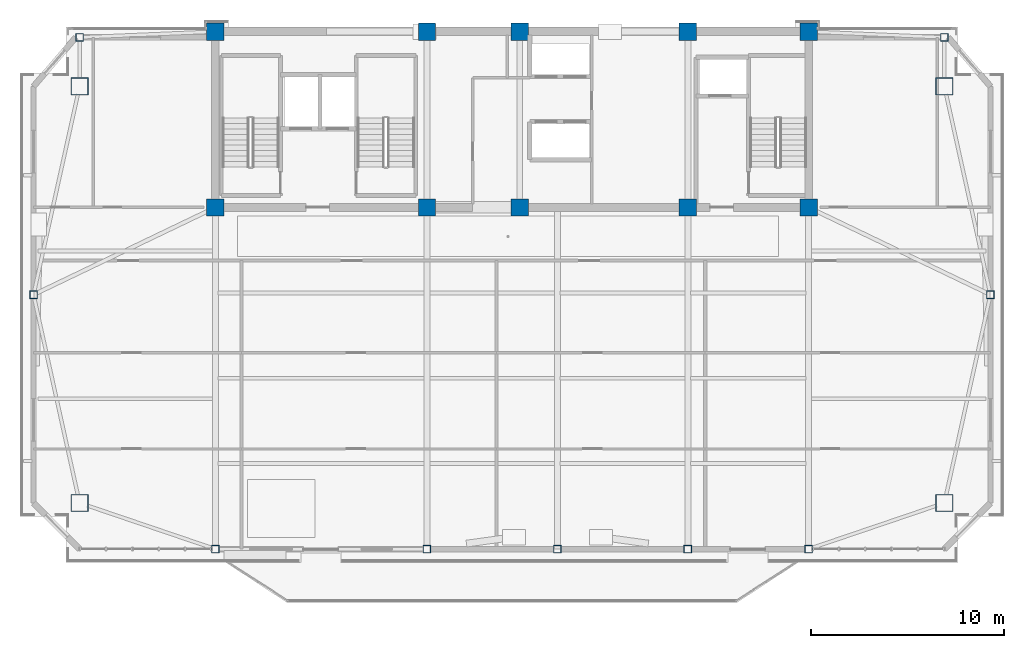
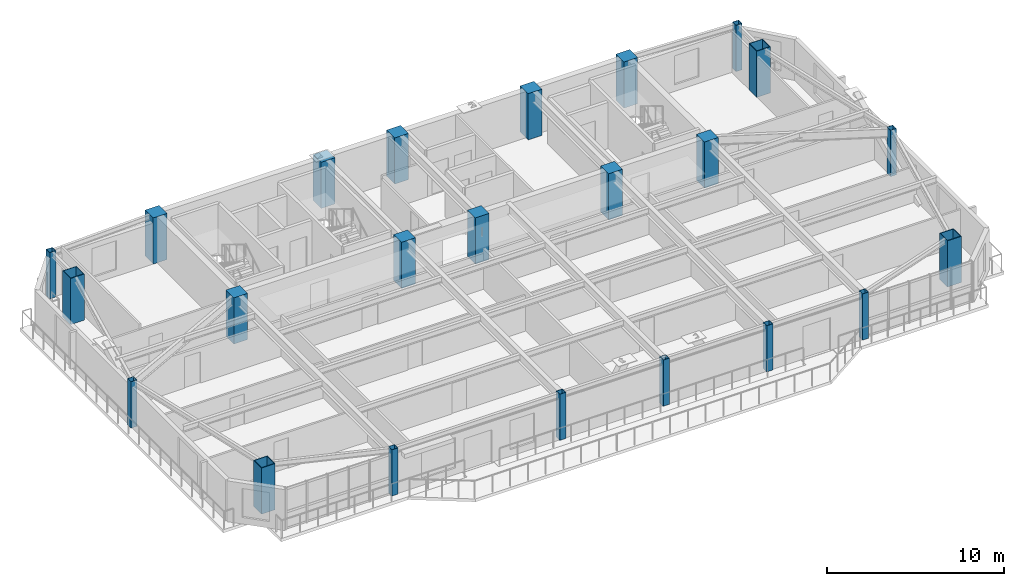
# One storey, part 1 of 13: 23 columns.
"""IFC4 building model written with IfcOpenShell, lengths in metres."""

from ifc_helpers import new_model, si_unit, direction, frame, origin, origin_2d, place, context, subcontext, project, spatial, rectangle, hollow_rectangle, extrude, source, transform, mapped, material, material_profile, profile_set, type_object, element, save


model = new_model("IFC4")

# Units and contexts
model_context = context("Model", 3, precision=1e-05, world=origin(), true_north=direction((0.0, 1.0)))
body_context = subcontext(model_context, "Body", "Model", "MODEL_VIEW")
ifc_project = project(units=[si_unit("LENGTHUNIT", "METRE"), si_unit("AREAUNIT", "SQUARE_METRE"), si_unit("VOLUMEUNIT", "CUBIC_METRE"), si_unit("PLANEANGLEUNIT", "RADIAN"), si_unit("MASSUNIT", "GRAM", prefix="KILO")], contexts=[model_context])

# Site, building, storey
site_placement = place(None, origin())
site = spatial("IfcSite", under=ifc_project, at=site_placement, CompositionType="ELEMENT")
building_placement = place(site_placement, origin())
building = spatial("IfcBuilding", under=site, at=building_placement, Name="Giltprow Tower", CompositionType="ELEMENT")
storey_placement = place(building_placement, frame((0.0, 0.0, 307.39990234375)))
storey = spatial("IfcBuildingStorey", under=building, at=storey_placement, Name="L79", CompositionType="ELEMENT", Elevation=307.39990234375)

# Columns
ifc_material_1 = material(Name="Concrete C45", Category="concrete")
ifc_material_profile_1 = material_profile(ifc_material_1, rectangle(XDim=0.89990234375, YDim=0.89990234375, at=origin_2d()), Name="RC 900x900")
ifc_profile_set_1 = profile_set([ifc_material_profile_1], Name="Concrete C45")
column_type_1 = type_object("IfcColumnType", Name="PIL-RC-900-C45", PredefinedType="PILASTER", material=ifc_profile_set_1)
shared_shape_1 = source(origin(), body_context, "Body", "SweptSolid", [
    extrude(rectangle(XDim=0.89990234375, YDim=0.89990234375, at=origin_2d()), origin(), (0.0, 0.0, 1.0), 3.18505859375),
])
for number, where, z_axis, x_axis, name in (
    (1, (19.85009765625, 37.449951171875, 0.0), (0.0, 0.0, 1.0), (1.0, 0.0, 0.0), "L79 Core Boundary Pilaster 1-1"),
    (2, (19.85009765625, 46.550048828125, 0.0), (0.0, 0.0, 1.0), (1.0, 0.0, 0.0), "L79 Core Boundary Pilaster 1-2"),
    (3, (30.800048828125, 37.449951171875, 0.0), (0.0, 0.0, 1.0), (1.0, 0.0, 0.0), "L79 Core Boundary Pilaster 2-1"),
    (4, (30.800048828125, 46.550048828125, 0.0), (0.0, 0.0, 1.0), (1.0, 0.0, 0.0), "L79 Core Boundary Pilaster 2-2"),
    (5, (35.60009765625, 37.449951171875, 0.0), (0.0, 0.0, 1.0), (1.0, 0.0, 0.0), "L79 Core Boundary Pilaster 3-1"),
    (6, (35.60009765625, 46.550048828125, 0.0), (0.0, 0.0, 1.0), (1.0, 0.0, 0.0), "L79 Core Boundary Pilaster 3-2"),
    (7, (44.300048828125, 37.449951171875, 0.0), (0.0, 0.0, 1.0), (1.0, 0.0, 0.0), "L79 Core Boundary Pilaster 4-1"),
    (8, (44.300048828125, 46.550048828125, 0.0), (0.0, 0.0, 1.0), (1.0, 0.0, 0.0), "L79 Core Boundary Pilaster 4-2"),
    (9, (50.550048828125, 37.449951171875, 0.0), (0.0, 0.0, 1.0), (1.0, 0.0, 0.0), "L79 Core Boundary Pilaster 5-1"),
    (10, (50.550048828125, 46.550048828125, 0.0), (0.0, 0.0, 1.0), (1.0, 0.0, 0.0), "L79 Core Boundary Pilaster 5-2"),
):
    element("IfcColumn", number, at=place(storey_placement, frame(where, z_axis=z_axis, x_axis=x_axis)), inside=storey, type_object=column_type_1, Name=name, PredefinedType="PILASTER", context=body_context, shape_type="MappedRepresentation", body=[
        mapped(shared_shape_1, transform((0.0, 0.0, 0.0), x_axis=(1.0, 0.0, 0.0), y_axis=(0.0, 1.0, 0.0), z_axis=(0.0, 0.0, 1.0), scale=1.0)),
    ])
ifc_material_2 = material(Name="Structural steel Q420GJC", Category="steel")
ifc_material_profile_2 = material_profile(ifc_material_2, hollow_rectangle(XDim=0.89990234375, YDim=0.89990234375, WallThickness=0.0400390625, at=origin_2d()), Name="BOX 900x900x40")
ifc_profile_set_2 = profile_set([ifc_material_profile_2], Name="Structural steel Q420GJC")
column_type_2 = type_object("IfcColumnType", Name="COL-BOX-900x900x40", PredefinedType="COLUMN", material=ifc_profile_set_2)
shared_shape_2 = source(origin(), body_context, "Body", "SweptSolid", [
    extrude(hollow_rectangle(XDim=0.89990234375, YDim=0.89990234375, WallThickness=0.0400390625, at=origin_2d()), origin(), (0.0, 0.0, 1.0), 3.18505859375),
])
for number, where, z_axis, x_axis, name in (
    (11, (12.824951171875, 22.156982421875, 0.0), (0.0, 0.0, 1.0), (1.0, 0.0, 0.0), "L79 Mega-Column MC_SW"),
    (12, (57.574951171875, 22.156982421875, 0.0), (0.0, 0.0, 1.0), (1.0, 0.0, 0.0), "L79 Mega-Column MC_SE"),
    (13, (12.824951171875, 43.715087890625, 0.0), (0.0, 0.0, 1.0), (1.0, 0.0, 0.0), "L79 Mega-Column MC_NW"),
    (14, (57.574951171875, 43.715087890625, 0.0), (0.0, 0.0, 1.0), (1.0, 0.0, 0.0), "L79 Mega-Column MC_NE"),
):
    element("IfcColumn", number, at=place(storey_placement, frame(where, z_axis=z_axis, x_axis=x_axis)), inside=storey, type_object=column_type_2, Name=name, PredefinedType="COLUMN", context=body_context, shape_type="MappedRepresentation", body=[
        mapped(shared_shape_2, transform((0.0, 0.0, 0.0), x_axis=(1.0, 0.0, 0.0), y_axis=(0.0, 1.0, 0.0), z_axis=(0.0, 0.0, 1.0), scale=1.0)),
    ])
ifc_material_3 = material(Name="Structural steel Q355B", Category="steel")
ifc_material_profile_3 = material_profile(ifc_material_3, hollow_rectangle(XDim=0.39990234375, YDim=0.39990234375, WallThickness=0.02001953125, at=origin_2d()), Name="BOX 400x400x20")
ifc_profile_set_3 = profile_set([ifc_material_profile_3], Name="Structural steel Q355B")
column_type_3 = type_object("IfcColumnType", Name="COL-BOX-400x400x20", PredefinedType="COLUMN", material=ifc_profile_set_3)
shared_shape_3 = source(origin(), body_context, "Body", "SweptSolid", [
    extrude(hollow_rectangle(XDim=0.39990234375, YDim=0.39990234375, WallThickness=0.02001953125, at=origin_2d()), origin(), (0.0, 0.0, 1.0), 3.18505859375),
])
for number, where, z_axis, x_axis, name in (
    (15, (19.85009765625, 19.77197265625, 0.0), (0.0, 0.0, 1.0), (1.0, 0.0, 0.0), "L79 Perimeter Column S1"),
    (16, (30.800048828125, 19.77197265625, 0.0), (0.0, 0.0, 1.0), (1.0, 0.0, 0.0), "L79 Perimeter Column S2"),
    (17, (37.550048828125, 19.77197265625, 0.0), (0.0, 0.0, 1.0), (1.0, 0.0, 0.0), "L79 Perimeter Column S_MID"),
    (18, (44.300048828125, 19.77197265625, 0.0), (0.0, 0.0, 1.0), (1.0, 0.0, 0.0), "L79 Perimeter Column S3"),
    (19, (50.550048828125, 19.77197265625, 0.0), (0.0, 0.0, 1.0), (1.0, 0.0, 0.0), "L79 Perimeter Column S4"),
    (20, (10.43994140625, 32.93603515625, 0.0), (0.0, 0.0, 1.0), (1.0, 0.0, 0.0), "L79 Perimeter Column W_MID"),
    (21, (59.9599609375, 32.93603515625, 0.0), (0.0, 0.0, 1.0), (1.0, 0.0, 0.0), "L79 Perimeter Column E_MID"),
    (22, (12.824951171875, 46.25, 0.0), (0.0, 0.0, 1.0), (1.0, 0.0, 0.0), "L79 Perimeter Column N_W"),
    (23, (57.574951171875, 46.25, 0.0), (0.0, 0.0, 1.0), (1.0, 0.0, 0.0), "L79 Perimeter Column N_E"),
):
    element("IfcColumn", number, at=place(storey_placement, frame(where, z_axis=z_axis, x_axis=x_axis)), inside=storey, type_object=column_type_3, Name=name, PredefinedType="COLUMN", context=body_context, shape_type="MappedRepresentation", body=[
        mapped(shared_shape_3, transform((0.0, 0.0, 0.0), x_axis=(1.0, 0.0, 0.0), y_axis=(0.0, 1.0, 0.0), z_axis=(0.0, 0.0, 1.0), scale=1.0)),
    ])

save(model, "model.ifc")
